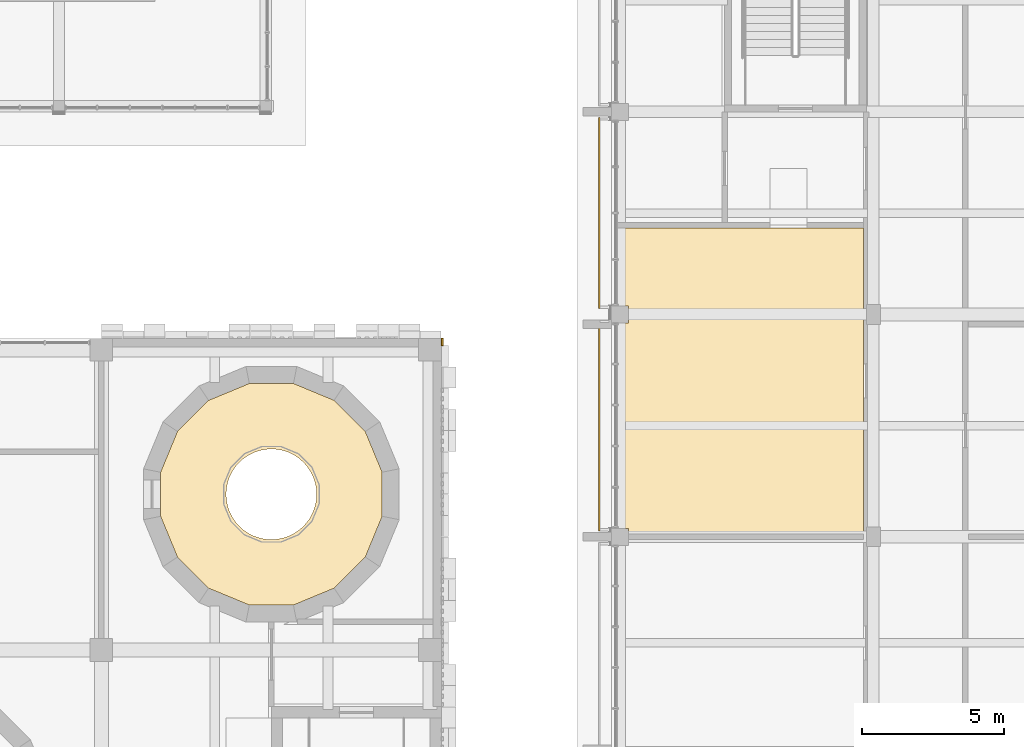
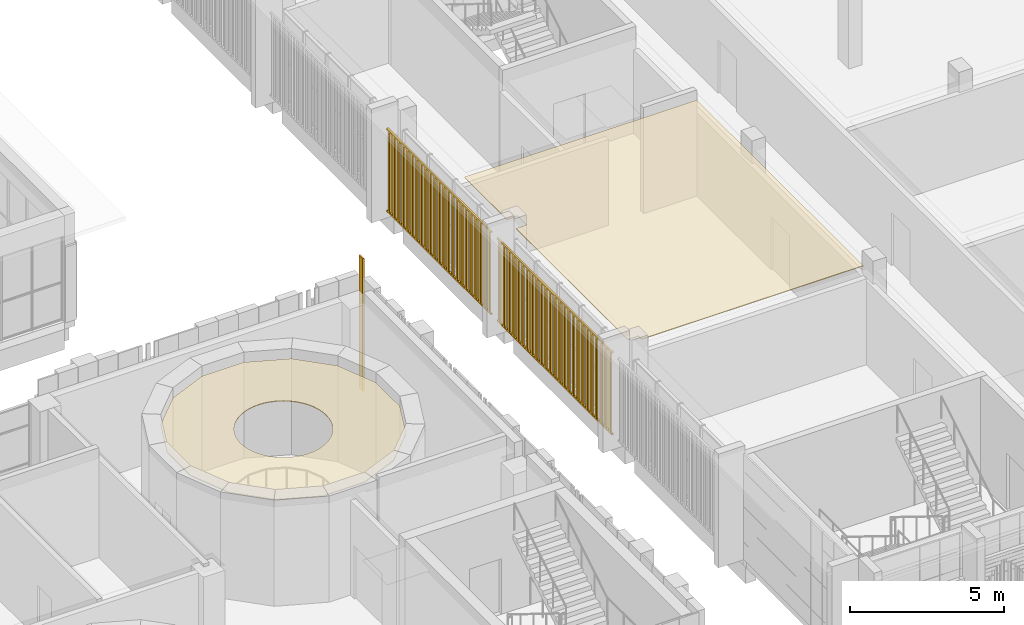
# One storey, part 79 of 92: 3 coverings, 2 shading devices.
"""IFC4 building model written with IfcOpenShell, lengths in metres."""

from ifc_helpers import new_model, si_unit, direction, frame, origin, origin_2d, place, context, subcontext, project, spatial, polyline, rectangle, outline, extrude, material, layer, layer_set, type_object, element, save


model = new_model("IFC4")

# Units and contexts
model_context = context("Model", 3, precision=1e-05, world=origin(), true_north=direction((0.0, 1.0)))
body_context = subcontext(model_context, "Body", "Model", "MODEL_VIEW")
ifc_project = project(units=[si_unit("LENGTHUNIT", "METRE"), si_unit("AREAUNIT", "SQUARE_METRE"), si_unit("VOLUMEUNIT", "CUBIC_METRE"), si_unit("PLANEANGLEUNIT", "RADIAN"), si_unit("MASSUNIT", "GRAM", prefix="KILO")], contexts=[model_context])

# Site, building, storey
site_placement = place(None, origin())
site = spatial("IfcSite", under=ifc_project, at=site_placement, CompositionType="ELEMENT")
building_placement = place(site_placement, origin())
building = spatial("IfcBuilding", under=site, at=building_placement, Name="Sun Court Science Centre", CompositionType="ELEMENT")
storey_placement = place(building_placement, frame((0.0, 0.0, 11.25)))
storey = spatial("IfcBuildingStorey", under=building, at=storey_placement, Name="L02", CompositionType="ELEMENT", Elevation=11.25)

# Coverings
ifc_material_1 = material(Name="Gypsum board")
ifc_layer_1 = layer(ifc_material_1, 0.030029296875)
ifc_layer_set_1 = layer_set([ifc_layer_1], Name="Gypsum board")
covering_type_1 = type_object("IfcCoveringType", Name="Ceiling suspended 600 module", PredefinedType="CEILING", material=ifc_layer_set_1)
covering_1_placement = place(storey_placement, frame((0.0, 0.0, 3.77001953125)))
element("IfcCovering", 1, at=covering_1_placement, inside=storey, type_object=covering_type_1, Name="L02-006 ceiling", PredefinedType="CEILING", context=body_context, shape_type="SweptSolid", body=[
    extrude(outline(polyline([(69.316162109375, 20.2841796875), (68.2158203125, 19.183837890625), (66.778076171875, 18.58837890625), (65.221923828125, 18.58837890625), (63.7841796875, 19.183837890625), (62.683837890625, 20.2841796875), (62.08837890625, 21.721923828125), (62.08837890625, 23.278076171875), (62.683837890625, 24.7158203125), (63.7841796875, 25.816162109375), (65.221923828125, 26.41162109375), (66.778076171875, 26.41162109375), (68.2158203125, 25.816162109375), (69.316162109375, 24.7158203125), (69.91162109375, 23.278076171875), (69.91162109375, 21.721923828125), (69.316162109375, 20.2841796875)]), holes=[polyline([(67.478271484375, 23.1123046875), (67.385498046875, 23.300048828125), (67.269287109375, 23.47412109375), (67.13134765625, 23.63134765625), (66.97412109375, 23.769287109375), (66.800048828125, 23.885498046875), (66.6123046875, 23.978271484375), (66.4140625, 24.04541015625), (66.208740234375, 24.086181640625), (66.0, 24.10009765625), (65.791259765625, 24.086181640625), (65.5859375, 24.04541015625), (65.3876953125, 23.978271484375), (65.199951171875, 23.885498046875), (65.02587890625, 23.769287109375), (64.86865234375, 23.63134765625), (64.730712890625, 23.47412109375), (64.614501953125, 23.300048828125), (64.521728515625, 23.1123046875), (64.45458984375, 22.9140625), (64.413818359375, 22.708740234375), (64.39990234375, 22.5), (64.413818359375, 22.291259765625), (64.45458984375, 22.0859375), (64.521728515625, 21.8876953125), (64.614501953125, 21.699951171875), (64.730712890625, 21.52587890625), (64.86865234375, 21.36865234375), (65.02587890625, 21.230712890625), (65.199951171875, 21.114501953125), (65.3876953125, 21.021728515625), (65.5859375, 20.95458984375), (65.791259765625, 20.913818359375), (66.0, 20.89990234375), (66.208740234375, 20.913818359375), (66.4140625, 20.95458984375), (66.6123046875, 21.021728515625), (66.800048828125, 21.114501953125), (66.97412109375, 21.230712890625), (67.13134765625, 21.36865234375), (67.269287109375, 21.52587890625), (67.385498046875, 21.699951171875), (67.478271484375, 21.8876953125), (67.54541015625, 22.0859375), (67.586181640625, 22.291259765625), (67.60009765625, 22.5), (67.586181640625, 22.708740234375), (67.54541015625, 22.9140625), (67.478271484375, 23.1123046875)])]), origin(), (0.0, 0.0, 1.0), 0.030029296875),
])
covering_2_placement = place(storey_placement, frame((0.0, 0.0, 3.77001953125)))
element("IfcCovering", 2, at=covering_2_placement, inside=storey, type_object=covering_type_1, Name="L02-045 ceiling", PredefinedType="CEILING", context=body_context, shape_type="SweptSolid", body=[
    extrude(outline(polyline([(78.199951171875, 31.89990234375), (86.89990234375, 31.89990234375), (86.89990234375, 21.10009765625), (78.60009765625, 21.10009765625), (78.60009765625, 21.300048828125), (78.199951171875, 21.300048828125), (78.199951171875, 28.550048828125), (78.60009765625, 28.550048828125), (78.60009765625, 29.14990234375), (78.199951171875, 29.14990234375), (78.199951171875, 31.89990234375)])), origin(), (0.0, 0.0, 1.0), 0.030029296875),
])

# Shading devices
ifc_material_2 = material(Name="Red sandstone", Category="masonry")
ifc_layer_2 = layer(ifc_material_2, 0.06005859375)
ifc_layer_set_2 = layer_set([ifc_layer_2], Name="Red sandstone")
shading_device_type = type_object("IfcShadingDeviceType", Name="Jali screen, sandstone", PredefinedType="USERDEFINED", material=ifc_layer_set_2)
shading_device_1_placement = place(storey_placement, frame((0.0, 0.0, -11.25)))
element("IfcShadingDevice", 3, at=shading_device_1_placement, inside=storey, type_object=shading_device_type, Name="Jali screen west face L02 02", ObjectType="JALI SCREEN", PredefinedType="USERDEFINED", context=body_context, shape_type="SweptSolid", body=[
    extrude(rectangle(XDim=0.1201171875, YDim=0.06005859375, at=origin_2d()), frame((77.570068359375, 21.34912109375, 11.58984375), z_axis=(0.0, 0.0, 1.0), x_axis=(0.0, 1.0, 0.0)), (0.0, 0.0, 1.0), 3.219970703125),
    extrude(rectangle(XDim=0.1201171875, YDim=0.06005859375, at=origin_2d()), frame((77.570068359375, 21.64697265625, 11.58984375), z_axis=(0.0, 0.0, 1.0), x_axis=(0.0, 1.0, 0.0)), (0.0, 0.0, 1.0), 3.219970703125),
    extrude(rectangle(XDim=0.1201171875, YDim=0.06005859375, at=origin_2d()), frame((77.570068359375, 21.945068359375, 11.58984375), z_axis=(0.0, 0.0, 1.0), x_axis=(0.0, 1.0, 0.0)), (0.0, 0.0, 1.0), 3.219970703125),
    extrude(rectangle(XDim=0.1201171875, YDim=0.06005859375, at=origin_2d()), frame((77.570068359375, 22.242919921875, 11.58984375), z_axis=(0.0, 0.0, 1.0), x_axis=(0.0, 1.0, 0.0)), (0.0, 0.0, 1.0), 3.219970703125),
    extrude(rectangle(XDim=0.1201171875, YDim=0.06005859375, at=origin_2d()), frame((77.570068359375, 22.541015625, 11.58984375), z_axis=(0.0, 0.0, 1.0), x_axis=(0.0, 1.0, 0.0)), (0.0, 0.0, 1.0), 3.219970703125),
    extrude(rectangle(XDim=0.1201171875, YDim=0.06005859375, at=origin_2d()), frame((77.570068359375, 22.839111328125, 11.58984375), z_axis=(0.0, 0.0, 1.0), x_axis=(0.0, 1.0, 0.0)), (0.0, 0.0, 1.0), 3.219970703125),
    extrude(rectangle(XDim=0.1201171875, YDim=0.06005859375, at=origin_2d()), frame((77.570068359375, 23.136962890625, 11.58984375), z_axis=(0.0, 0.0, 1.0), x_axis=(0.0, 1.0, 0.0)), (0.0, 0.0, 1.0), 3.219970703125),
    extrude(rectangle(XDim=0.1201171875, YDim=0.06005859375, at=origin_2d()), frame((77.570068359375, 23.43505859375, 11.58984375), z_axis=(0.0, 0.0, 1.0), x_axis=(0.0, 1.0, 0.0)), (0.0, 0.0, 1.0), 3.219970703125),
    extrude(rectangle(XDim=0.1201171875, YDim=0.06005859375, at=origin_2d()), frame((77.570068359375, 23.73291015625, 11.58984375), z_axis=(0.0, 0.0, 1.0), x_axis=(0.0, 1.0, 0.0)), (0.0, 0.0, 1.0), 3.219970703125),
    extrude(rectangle(XDim=0.1201171875, YDim=0.06005859375, at=origin_2d()), frame((77.570068359375, 24.031005859375, 11.58984375), z_axis=(0.0, 0.0, 1.0), x_axis=(0.0, 1.0, 0.0)), (0.0, 0.0, 1.0), 3.219970703125),
    extrude(rectangle(XDim=0.1201171875, YDim=0.06005859375, at=origin_2d()), frame((77.570068359375, 24.3291015625, 11.58984375), z_axis=(0.0, 0.0, 1.0), x_axis=(0.0, 1.0, 0.0)), (0.0, 0.0, 1.0), 3.219970703125),
    extrude(rectangle(XDim=0.1201171875, YDim=0.06005859375, at=origin_2d()), frame((77.570068359375, 24.626953125, 11.58984375), z_axis=(0.0, 0.0, 1.0), x_axis=(0.0, 1.0, 0.0)), (0.0, 0.0, 1.0), 3.219970703125),
    extrude(rectangle(XDim=0.1201171875, YDim=0.06005859375, at=origin_2d()), frame((77.570068359375, 24.925048828125, 11.58984375), z_axis=(0.0, 0.0, 1.0), x_axis=(0.0, 1.0, 0.0)), (0.0, 0.0, 1.0), 3.219970703125),
    extrude(rectangle(XDim=0.1201171875, YDim=0.06005859375, at=origin_2d()), frame((77.570068359375, 25.222900390625, 11.58984375), z_axis=(0.0, 0.0, 1.0), x_axis=(0.0, 1.0, 0.0)), (0.0, 0.0, 1.0), 3.219970703125),
    extrude(rectangle(XDim=0.1201171875, YDim=0.06005859375, at=origin_2d()), frame((77.570068359375, 25.52099609375, 11.58984375), z_axis=(0.0, 0.0, 1.0), x_axis=(0.0, 1.0, 0.0)), (0.0, 0.0, 1.0), 3.219970703125),
    extrude(rectangle(XDim=0.1201171875, YDim=0.06005859375, at=origin_2d()), frame((77.570068359375, 25.819091796875, 11.58984375), z_axis=(0.0, 0.0, 1.0), x_axis=(0.0, 1.0, 0.0)), (0.0, 0.0, 1.0), 3.219970703125),
    extrude(rectangle(XDim=0.1201171875, YDim=0.06005859375, at=origin_2d()), frame((77.570068359375, 26.116943359375, 11.58984375), z_axis=(0.0, 0.0, 1.0), x_axis=(0.0, 1.0, 0.0)), (0.0, 0.0, 1.0), 3.219970703125),
    extrude(rectangle(XDim=0.1201171875, YDim=0.06005859375, at=origin_2d()), frame((77.570068359375, 26.4150390625, 11.58984375), z_axis=(0.0, 0.0, 1.0), x_axis=(0.0, 1.0, 0.0)), (0.0, 0.0, 1.0), 3.219970703125),
    extrude(rectangle(XDim=0.1201171875, YDim=0.06005859375, at=origin_2d()), frame((77.570068359375, 26.712890625, 11.58984375), z_axis=(0.0, 0.0, 1.0), x_axis=(0.0, 1.0, 0.0)), (0.0, 0.0, 1.0), 3.219970703125),
    extrude(rectangle(XDim=0.1201171875, YDim=0.06005859375, at=origin_2d()), frame((77.570068359375, 27.010986328125, 11.58984375), z_axis=(0.0, 0.0, 1.0), x_axis=(0.0, 1.0, 0.0)), (0.0, 0.0, 1.0), 3.219970703125),
    extrude(rectangle(XDim=0.1201171875, YDim=0.06005859375, at=origin_2d()), frame((77.570068359375, 27.30908203125, 11.58984375), z_axis=(0.0, 0.0, 1.0), x_axis=(0.0, 1.0, 0.0)), (0.0, 0.0, 1.0), 3.219970703125),
    extrude(rectangle(XDim=0.1201171875, YDim=0.06005859375, at=origin_2d()), frame((77.570068359375, 27.60693359375, 11.58984375), z_axis=(0.0, 0.0, 1.0), x_axis=(0.0, 1.0, 0.0)), (0.0, 0.0, 1.0), 3.219970703125),
    extrude(rectangle(XDim=0.1201171875, YDim=0.06005859375, at=origin_2d()), frame((77.570068359375, 27.905029296875, 11.58984375), z_axis=(0.0, 0.0, 1.0), x_axis=(0.0, 1.0, 0.0)), (0.0, 0.0, 1.0), 3.219970703125),
    extrude(rectangle(XDim=0.1201171875, YDim=0.06005859375, at=origin_2d()), frame((77.570068359375, 28.202880859375, 11.58984375), z_axis=(0.0, 0.0, 1.0), x_axis=(0.0, 1.0, 0.0)), (0.0, 0.0, 1.0), 3.219970703125),
    extrude(rectangle(XDim=0.1201171875, YDim=0.06005859375, at=origin_2d()), frame((77.570068359375, 28.5009765625, 11.58984375), z_axis=(0.0, 0.0, 1.0), x_axis=(0.0, 1.0, 0.0)), (0.0, 0.0, 1.0), 3.219970703125),
    extrude(rectangle(XDim=7.449951171875, YDim=0.06005859375, at=origin_2d()), frame((77.570068359375, 24.925048828125, 11.550048828125), z_axis=(0.0, 0.0, 1.0), x_axis=(0.0, 1.0, 0.0)), (0.0, 0.0, 1.0), 0.06005859375),
    extrude(rectangle(XDim=7.449951171875, YDim=0.06005859375, at=origin_2d()), frame((77.570068359375, 24.925048828125, 14.7900390625), z_axis=(0.0, 0.0, 1.0), x_axis=(0.0, 1.0, 0.0)), (0.0, 0.0, 1.0), 0.06005859375),
])
shading_device_2_placement = place(storey_placement, frame((0.0, 0.0, -11.25)))
element("IfcShadingDevice", 4, at=shading_device_2_placement, inside=storey, type_object=shading_device_type, Name="Jali screen west face L02 03", ObjectType="JALI SCREEN", PredefinedType="USERDEFINED", context=body_context, shape_type="SweptSolid", body=[
    extrude(rectangle(XDim=0.1201171875, YDim=0.06005859375, at=origin_2d()), frame((77.570068359375, 29.19677734375, 11.58984375), z_axis=(0.0, 0.0, 1.0), x_axis=(0.0, 1.0, 0.0)), (0.0, 0.0, 1.0), 3.219970703125),
    extrude(rectangle(XDim=0.1201171875, YDim=0.06005859375, at=origin_2d()), frame((77.570068359375, 29.490234375, 11.58984375), z_axis=(0.0, 0.0, 1.0), x_axis=(0.0, 1.0, 0.0)), (0.0, 0.0, 1.0), 3.219970703125),
    extrude(rectangle(XDim=0.1201171875, YDim=0.06005859375, at=origin_2d()), frame((77.570068359375, 29.78369140625, 11.58984375), z_axis=(0.0, 0.0, 1.0), x_axis=(0.0, 1.0, 0.0)), (0.0, 0.0, 1.0), 3.219970703125),
    extrude(rectangle(XDim=0.1201171875, YDim=0.06005859375, at=origin_2d()), frame((77.570068359375, 30.0771484375, 11.58984375), z_axis=(0.0, 0.0, 1.0), x_axis=(0.0, 1.0, 0.0)), (0.0, 0.0, 1.0), 3.219970703125),
    extrude(rectangle(XDim=0.1201171875, YDim=0.06005859375, at=origin_2d()), frame((77.570068359375, 30.37060546875, 11.58984375), z_axis=(0.0, 0.0, 1.0), x_axis=(0.0, 1.0, 0.0)), (0.0, 0.0, 1.0), 3.219970703125),
    extrude(rectangle(XDim=0.1201171875, YDim=0.06005859375, at=origin_2d()), frame((77.570068359375, 30.6640625, 11.58984375), z_axis=(0.0, 0.0, 1.0), x_axis=(0.0, 1.0, 0.0)), (0.0, 0.0, 1.0), 3.219970703125),
    extrude(rectangle(XDim=0.1201171875, YDim=0.06005859375, at=origin_2d()), frame((77.570068359375, 30.95751953125, 11.58984375), z_axis=(0.0, 0.0, 1.0), x_axis=(0.0, 1.0, 0.0)), (0.0, 0.0, 1.0), 3.219970703125),
    extrude(rectangle(XDim=0.1201171875, YDim=0.06005859375, at=origin_2d()), frame((77.570068359375, 31.2509765625, 11.58984375), z_axis=(0.0, 0.0, 1.0), x_axis=(0.0, 1.0, 0.0)), (0.0, 0.0, 1.0), 3.219970703125),
    extrude(rectangle(XDim=0.1201171875, YDim=0.06005859375, at=origin_2d()), frame((77.570068359375, 31.544677734375, 11.58984375), z_axis=(0.0, 0.0, 1.0), x_axis=(0.0, 1.0, 0.0)), (0.0, 0.0, 1.0), 3.219970703125),
    extrude(rectangle(XDim=0.1201171875, YDim=0.06005859375, at=origin_2d()), frame((77.570068359375, 31.838134765625, 11.58984375), z_axis=(0.0, 0.0, 1.0), x_axis=(0.0, 1.0, 0.0)), (0.0, 0.0, 1.0), 3.219970703125),
    extrude(rectangle(XDim=0.1201171875, YDim=0.06005859375, at=origin_2d()), frame((77.570068359375, 32.131591796875, 11.58984375), z_axis=(0.0, 0.0, 1.0), x_axis=(0.0, 1.0, 0.0)), (0.0, 0.0, 1.0), 3.219970703125),
    extrude(rectangle(XDim=0.1201171875, YDim=0.06005859375, at=origin_2d()), frame((77.570068359375, 32.425048828125, 11.58984375), z_axis=(0.0, 0.0, 1.0), x_axis=(0.0, 1.0, 0.0)), (0.0, 0.0, 1.0), 3.219970703125),
    extrude(rectangle(XDim=0.1201171875, YDim=0.06005859375, at=origin_2d()), frame((77.570068359375, 32.718505859375, 11.58984375), z_axis=(0.0, 0.0, 1.0), x_axis=(0.0, 1.0, 0.0)), (0.0, 0.0, 1.0), 3.219970703125),
    extrude(rectangle(XDim=0.1201171875, YDim=0.06005859375, at=origin_2d()), frame((77.570068359375, 33.011962890625, 11.58984375), z_axis=(0.0, 0.0, 1.0), x_axis=(0.0, 1.0, 0.0)), (0.0, 0.0, 1.0), 3.219970703125),
    extrude(rectangle(XDim=0.1201171875, YDim=0.06005859375, at=origin_2d()), frame((77.570068359375, 33.305419921875, 11.58984375), z_axis=(0.0, 0.0, 1.0), x_axis=(0.0, 1.0, 0.0)), (0.0, 0.0, 1.0), 3.219970703125),
    extrude(rectangle(XDim=0.1201171875, YDim=0.06005859375, at=origin_2d()), frame((77.570068359375, 33.598876953125, 11.58984375), z_axis=(0.0, 0.0, 1.0), x_axis=(0.0, 1.0, 0.0)), (0.0, 0.0, 1.0), 3.219970703125),
    extrude(rectangle(XDim=0.1201171875, YDim=0.06005859375, at=origin_2d()), frame((77.570068359375, 33.892333984375, 11.58984375), z_axis=(0.0, 0.0, 1.0), x_axis=(0.0, 1.0, 0.0)), (0.0, 0.0, 1.0), 3.219970703125),
    extrude(rectangle(XDim=0.1201171875, YDim=0.06005859375, at=origin_2d()), frame((77.570068359375, 34.185791015625, 11.58984375), z_axis=(0.0, 0.0, 1.0), x_axis=(0.0, 1.0, 0.0)), (0.0, 0.0, 1.0), 3.219970703125),
    extrude(rectangle(XDim=0.1201171875, YDim=0.06005859375, at=origin_2d()), frame((77.570068359375, 34.479248046875, 11.58984375), z_axis=(0.0, 0.0, 1.0), x_axis=(0.0, 1.0, 0.0)), (0.0, 0.0, 1.0), 3.219970703125),
    extrude(rectangle(XDim=0.1201171875, YDim=0.06005859375, at=origin_2d()), frame((77.570068359375, 34.772705078125, 11.58984375), z_axis=(0.0, 0.0, 1.0), x_axis=(0.0, 1.0, 0.0)), (0.0, 0.0, 1.0), 3.219970703125),
    extrude(rectangle(XDim=0.1201171875, YDim=0.06005859375, at=origin_2d()), frame((77.570068359375, 35.06640625, 11.58984375), z_axis=(0.0, 0.0, 1.0), x_axis=(0.0, 1.0, 0.0)), (0.0, 0.0, 1.0), 3.219970703125),
    extrude(rectangle(XDim=0.1201171875, YDim=0.06005859375, at=origin_2d()), frame((77.570068359375, 35.35986328125, 11.58984375), z_axis=(0.0, 0.0, 1.0), x_axis=(0.0, 1.0, 0.0)), (0.0, 0.0, 1.0), 3.219970703125),
    extrude(rectangle(XDim=0.1201171875, YDim=0.06005859375, at=origin_2d()), frame((77.570068359375, 35.6533203125, 11.58984375), z_axis=(0.0, 0.0, 1.0), x_axis=(0.0, 1.0, 0.0)), (0.0, 0.0, 1.0), 3.219970703125),
    extrude(rectangle(XDim=6.75, YDim=0.06005859375, at=origin_2d()), frame((77.570068359375, 32.425048828125, 11.550048828125), z_axis=(0.0, 0.0, 1.0), x_axis=(0.0, 1.0, 0.0)), (0.0, 0.0, 1.0), 0.06005859375),
    extrude(rectangle(XDim=6.75, YDim=0.06005859375, at=origin_2d()), frame((77.570068359375, 32.425048828125, 14.7900390625), z_axis=(0.0, 0.0, 1.0), x_axis=(0.0, 1.0, 0.0)), (0.0, 0.0, 1.0), 0.06005859375),
])

# Covering
ifc_material_3 = material(Name="Red sandstone", Category="masonry")
ifc_layer_3 = layer(ifc_material_3, 0.080078125)
ifc_layer_set_3 = layer_set([ifc_layer_3], Name="Red sandstone")
covering_type_2 = type_object("IfcCoveringType", Name="Red sandstone corner closer", PredefinedType="CLADDING", material=ifc_layer_set_3)
covering_3_placement = place(storey_placement, frame((0.0, 0.0, -11.25)))
element("IfcCovering", 5, at=covering_3_placement, inside=storey, type_object=covering_type_2, Name="Sandstone corner closer east face L02", PredefinedType="CLADDING", context=body_context, shape_type="SweptSolid", body=[
    extrude(rectangle(XDim=0.25, YDim=0.06005859375, at=origin_2d()), frame((72.030029296875, 27.875, 11.25), z_axis=(0.0, 0.0, 1.0), x_axis=(0.0, -1.0, 0.0)), (0.0, 0.0, 1.0), 5.25),
])

save(model, "model.ifc")
